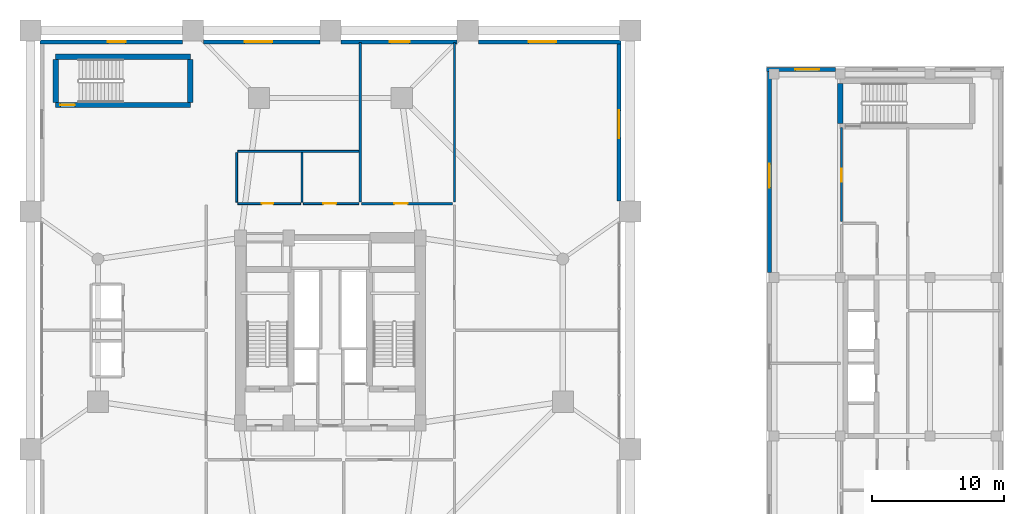
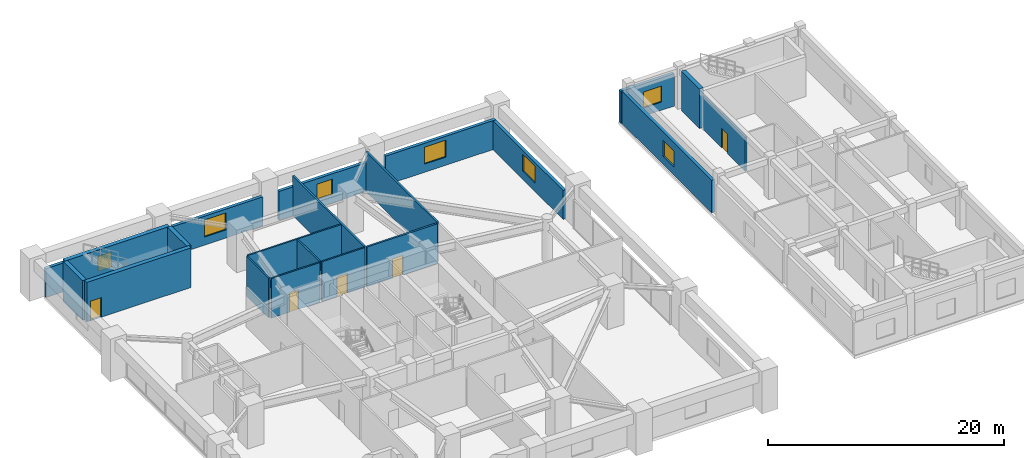
# One storey, part 16 of 22: 21 walls, 7 windows, 5 doors, 12 openings.
"""IFC4 building model written with IfcOpenShell, lengths in metres."""

import ifcopenshell
import ifcopenshell.guid

model = None  # the IFC model being written
_history = None  # IfcOwnerHistory: only IFC2X3 demands one
_inside = {}  # id of a spatial element -> (the spatial element, [elements in it])
_under = {}  # id of a project, library or spatial element -> (it, [spatial elements below it])
_declared = {}  # id of a project -> (the project, [libraries it declares])
_typed = {}  # id of a type object -> (the type object, [elements of that type])
_made_of = {}  # id of a material, layer set ... -> (it, [elements and type objects made of it])


def new_model(schema):
    """Start an empty IFC model of exactly this schema.

    Asked for "IFC4X3", IfcOpenShell would pick the latest addendum, in which some entities
    have other attributes; the version numbers below select the first issue.
    IFC2X3 requires an IfcOwnerHistory on every rooted entity: one is made here for all.
    """
    global model, _history
    if schema == "IFC4X3":
        model = ifcopenshell.file(schema_version=(4, 3, 0, 0))
    else:
        model = ifcopenshell.file(schema=schema)
    _inside.clear()
    _under.clear()
    _declared.clear()
    _typed.clear()
    _made_of.clear()
    _history = None
    if model.schema == "IFC2X3":
        org = make("IfcOrganization", Name="unknown")
        user = make(
            "IfcPersonAndOrganization",
            ThePerson=make("IfcPerson", FamilyName="unknown"),
            TheOrganization=org,
        )
        app = make(
            "IfcApplication",
            ApplicationDeveloper=org,
            Version="unknown",
            ApplicationFullName="unknown",
            ApplicationIdentifier="unknown",
        )
        _history = make(
            "IfcOwnerHistory",
            OwningUser=user,
            OwningApplication=app,
            ChangeAction="ADDED",
            CreationDate=0,
        )
    return model


def make(cls, **values):
    """One entity of the class cls with the attributes given. An attribute that is None is left unset."""
    return model.create_entity(
        cls, **{name: value for name, value in values.items() if value is not None}
    )


def rooted(cls, **values):
    """An entity with a GlobalId (a new one), such as an element, a storey or a relation."""
    return make(cls, GlobalId=ifcopenshell.guid.new(), OwnerHistory=_history, **values)


def si_unit(unit_type, name, prefix=None):
    """IfcSIUnit, for example si_unit("LENGTHUNIT", "METRE", prefix="MILLI")."""
    return make("IfcSIUnit", UnitType=unit_type, Prefix=prefix, Name=name)


def assignment(units):
    """IfcUnitAssignment: the units of a project."""
    return None if units is None else make("IfcUnitAssignment", Units=units)


def point(xyz):
    """IfcCartesianPoint."""
    return None if xyz is None else make("IfcCartesianPoint", Coordinates=xyz)


def direction(xyz):
    """IfcDirection."""
    return None if xyz is None else make("IfcDirection", DirectionRatios=xyz)


def frame(location, z_axis=None, x_axis=None):
    """IfcAxis2Placement3D, a coordinate frame: its origin and axes. An axis left out is left unset."""
    return make(
        "IfcAxis2Placement3D",
        Location=point(location),
        Axis=direction(z_axis),
        RefDirection=direction(x_axis),
    )


def frame_2d(location, x_axis=None):
    """IfcAxis2Placement2D, a coordinate frame in the plane: its origin and x axis."""
    return make(
        "IfcAxis2Placement2D", Location=point(location), RefDirection=direction(x_axis)
    )


def origin():
    """The frame at (0, 0, 0) with its axes left unset."""
    return frame((0.0, 0.0, 0.0))


def place(relative_to, where):
    """IfcLocalPlacement: puts the frame where relative to a parent placement (None: the world)."""
    return make(
        "IfcLocalPlacement", PlacementRelTo=relative_to, RelativePlacement=where
    )


def context(
    kind, dimensions, precision=None, world=None, true_north=None, identifier=None
):
    """IfcGeometricRepresentationContext, for example the 3D "Model" context."""
    return make(
        "IfcGeometricRepresentationContext",
        ContextIdentifier=identifier,
        ContextType=kind,
        CoordinateSpaceDimension=dimensions,
        Precision=precision,
        WorldCoordinateSystem=world,
        TrueNorth=true_north,
    )


def subcontext(parent, identifier, kind, view, scale=None):
    """IfcGeometricRepresentationSubContext, for example "Body" below "Model"."""
    return make(
        "IfcGeometricRepresentationSubContext",
        ContextIdentifier=identifier,
        ContextType=kind,
        ParentContext=parent,
        TargetScale=scale,
        TargetView=view,
    )


def project(units=None, contexts=None):
    """IfcProject with its units and contexts."""
    return rooted(
        "IfcProject",
        Name="project",
        RepresentationContexts=contexts,
        UnitsInContext=assignment(units),
    )


def spatial(cls, under=None, at=None, **own):
    """A site, building, storey or space (cls), placed at a placement, below another one or the project."""
    s = rooted(cls, ObjectPlacement=at, **own)
    if under is not None:
        _under.setdefault(under.id(), (under, []))[1].append(s)
    return s


def profile(cls, at=None, kind="AREA", **sizes):
    """A parametric profile (cls). Its sizes go by their IFC names, for example OverallWidth=200.0."""
    return make(cls, ProfileType=kind, Position=at, **sizes)


def rectangle(**sizes):
    """IfcRectangleProfileDef."""
    return profile("IfcRectangleProfileDef", **sizes)


def extrude(swept, where, along, depth):
    """IfcExtrudedAreaSolid: the profile swept, set in the frame where, extruded along a direction by depth."""
    return make(
        "IfcExtrudedAreaSolid",
        SweptArea=swept,
        Position=where,
        ExtrudedDirection=direction(along),
        Depth=depth,
    )


def shape(context_of_items, identifier, shape_type, items):
    """IfcShapeRepresentation: the items that make up one representation, for example the "Body"."""
    return make(
        "IfcShapeRepresentation",
        ContextOfItems=context_of_items,
        RepresentationIdentifier=identifier,
        RepresentationType=shape_type,
        Items=items,
    )


def source(mapping_origin, context_of_items, identifier, shape_type, items):
    """IfcRepresentationMap: a shape defined once, which mapped items show again and again."""
    return make(
        "IfcRepresentationMap",
        MappingOrigin=mapping_origin,
        MappedRepresentation=shape(context_of_items, identifier, shape_type, items),
    )


def transform(
    local_origin,
    x_axis=None,
    y_axis=None,
    z_axis=None,
    scale=None,
    scale2=None,
    scale3=None,
    uniform=True,
):
    """IfcCartesianTransformationOperator3D, or its non-uniform kind. x_axis, y_axis, z_axis: its Axis1, 2, 3."""
    if uniform:
        return make(
            "IfcCartesianTransformationOperator3D",
            Axis1=direction(x_axis),
            Axis2=direction(y_axis),
            LocalOrigin=point(local_origin),
            Scale=scale,
            Axis3=direction(z_axis),
        )
    return make(
        "IfcCartesianTransformationOperator3DnonUniform",
        Axis1=direction(x_axis),
        Axis2=direction(y_axis),
        LocalOrigin=point(local_origin),
        Scale=scale,
        Axis3=direction(z_axis),
        Scale2=scale2,
        Scale3=scale3,
    )


def mapped(mapping_source, mapping_target):
    """IfcMappedItem: shows the shape of a source again, moved by a transform."""
    return make(
        "IfcMappedItem", MappingSource=mapping_source, MappingTarget=mapping_target
    )


def material(Name=None, Category=None):
    """IfcMaterial."""
    return make("IfcMaterial", Name=Name, Category=Category)


def layer(
    of_material, thickness, ventilated=None, Name=None, Category=None, Priority=None
):
    """IfcMaterialLayer: one layer of a wall or slab, of a material (None: an air gap)."""
    return make(
        "IfcMaterialLayer",
        Material=of_material,
        LayerThickness=thickness,
        IsVentilated=ventilated,
        Name=Name,
        Category=Category,
        Priority=Priority,
    )


def layer_set(layers, Name=None):
    """IfcMaterialLayerSet."""
    return make("IfcMaterialLayerSet", MaterialLayers=layers, LayerSetName=Name)


def made_of(thing, what):
    """Note that an element or type object is made of a material, layer set ...; save() writes the relation."""
    if what is not None:
        _made_of.setdefault(what.id(), (what, []))[1].append(thing)
    return thing


def type_object(cls, material=None, **own):
    """A type object (cls), such as IfcWallType, which elements share."""
    return made_of(rooted(cls, **own), material)


def element(
    cls,
    number,
    at=None,
    inside=None,
    cuts=None,
    type_object=None,
    material=None,
    context=None,
    identifier="Body",
    shape_type=None,
    held_by="IfcProductDefinitionShape",
    body=None,
    shapes=None,
    **own,
):
    """One element of the class cls, such as IfcWall. Its Tag is "e" and its number.

    at: its placement. inside: the storey or other place that contains it. cuts: it is an
    opening in that element (IfcRelVoidsElement). A single representation is given by context,
    identifier, shape_type and body (its items); several are given by shapes. held_by: the class
    of the entity that holds the representations. save() writes the other relations.
    """
    e = rooted(cls, Tag="e%d" % number, ObjectPlacement=at, **own)
    if body is not None:
        shapes = [shape(context, identifier, shape_type, body)]
    if shapes is not None:
        e.Representation = make(held_by, Representations=shapes)
    if inside is not None:
        _inside.setdefault(inside.id(), (inside, []))[1].append(e)
    if cuts is not None:
        rooted(
            "IfcRelVoidsElement", RelatingBuildingElement=cuts, RelatedOpeningElement=e
        )
    if type_object is not None:
        _typed.setdefault(type_object.id(), (type_object, []))[1].append(e)
    return made_of(e, material)


def fill(opening, filler):
    """IfcRelFillsElement: the door or window that sits in an opening."""
    return rooted(
        "IfcRelFillsElement",
        RelatingOpeningElement=opening,
        RelatedBuildingElement=filler,
    )


def aggregate(whole, parts):
    """IfcRelAggregates: a whole, such as a stair, and the parts it consists of."""
    return rooted("IfcRelAggregates", RelatingObject=whole, RelatedObjects=parts)


def save(model, path):
    """Write the relations noted so far, then the file.

    IfcRelAggregates (storeys below a building ...), IfcRelContainedInSpatialStructure (elements
    in a storey), IfcRelDefinesByType, IfcRelAssociatesMaterial and IfcRelDeclares: one each for
    every whole, place, type object, material and project.
    """
    for whole, parts in _under.values():
        aggregate(whole, parts)
    for where, things in _inside.values():
        rooted(
            "IfcRelContainedInSpatialStructure",
            RelatedElements=things,
            RelatingStructure=where,
        )
    for kind, things in _typed.values():
        rooted("IfcRelDefinesByType", RelatedObjects=things, RelatingType=kind)
    for what, things in _made_of.values():
        rooted("IfcRelAssociatesMaterial", RelatedObjects=things, RelatingMaterial=what)
    for by, libraries in _declared.values():
        rooted("IfcRelDeclares", RelatingContext=by, RelatedDefinitions=libraries)
    model.write(path)


model = new_model("IFC4")

# Units and contexts
model_context = context("Model", 3, precision=1e-05, world=origin(), true_north=direction((0.0, 1.0)))
body_context = subcontext(model_context, "Body", "Model", "MODEL_VIEW")
ifc_project = project(units=[si_unit("LENGTHUNIT", "METRE"), si_unit("AREAUNIT", "SQUARE_METRE"), si_unit("VOLUMEUNIT", "CUBIC_METRE"), si_unit("PLANEANGLEUNIT", "RADIAN"), si_unit("MASSUNIT", "GRAM", prefix="KILO")], contexts=[model_context])

# Site, building, storey
site_placement = place(None, origin())
site = spatial("IfcSite", under=ifc_project, at=site_placement, CompositionType="ELEMENT")
building_placement = place(site_placement, origin())
building = spatial("IfcBuilding", under=site, at=building_placement, Name="Veraguas Prism Commons", CompositionType="ELEMENT")
storey_placement = place(building_placement, frame((0.0, 0.0, 5.199951171875)))
storey = spatial("IfcBuildingStorey", under=building, at=storey_placement, Name="L01", CompositionType="ELEMENT", Elevation=5.199951171875)

# Wall, opening, door
ifc_material_1 = material(Name="Concrete C50/60", Category="concrete")
ifc_layer_1 = layer(ifc_material_1, 0.39990234375, Name="Clinic and Mid Core Shear Wall RC 400", Category="concrete")
ifc_layer_set_1 = layer_set([ifc_layer_1], Name="Concrete C50/60")
wall_type_1 = type_object("IfcWallType", Name="Clinic and Mid Core Shear Wall RC 400", PredefinedType="SHEAR", material=ifc_layer_set_1)
wall_1_placement = place(storey_placement, frame((3.199951171875, 41.06005859375, 0.0), z_axis=(0.0, 0.0, 1.0), x_axis=(1.0, 0.0, 0.0)))
wall_1 = element("IfcWall", 1, at=wall_1_placement, inside=storey, type_object=wall_type_1, Name="ST-M2 South Shear Wall L01", PredefinedType="SHEAR", context=body_context, shape_type="SweptSolid", body=[
    extrude(rectangle(XDim=10.199951171875, YDim=0.39990234375, at=frame_2d((5.10009765625, 0.0))), origin(), (0.0, 0.0, 1.0), 4.10009765625),
])
opening_1_placement = place(wall_1_placement, frame((0.35009765625, 0.0, 0.0)))
opening_1 = element("IfcOpeningElement", 2, at=opening_1_placement, cuts=wall_1, Name="Opening DR-05", PredefinedType="OPENING", context=body_context, shape_type="SweptSolid", body=[
    extrude(rectangle(XDim=1.10009765625, YDim=2.030029296875, at=frame_2d((0.550048828125, 1.01513671875))), frame((0.0, 0.2099609375, 0.0), z_axis=(0.0, -1.0, 0.0), x_axis=(1.0, 0.0, 0.0)), (0.0, 0.0, 1.0), 0.419921875),
])
ifc_material_2 = material(Name="Steel fire-rated door assembly", Category="steel")
door_type_1 = type_object("IfcDoorType", Name="Protected Stair and Refuge Fire Door 1100x2030", OperationType="NOTDEFINED", PredefinedType="DOOR", material=ifc_material_2)
shared_shape_1 = source(origin(), body_context, "Body", "SweptSolid", [
    extrude(rectangle(XDim=1.10009765625, YDim=2.030029296875, at=frame_2d((0.550048828125, 1.01513671875))), frame((0.0, 0.02490234375, 0.0), z_axis=(0.0, -1.0, 0.0), x_axis=(1.0, 0.0, 0.0)), (0.0, 0.0, 1.0), 0.050048828125),
])
door_1_placement = place(opening_1_placement, origin())
door_1 = element("IfcDoor", 3, at=door_1_placement, inside=storey, type_object=door_type_1, Name="Metro Stair ST-M2 Door L01", OperationType="SINGLE_SWING_RIGHT", OverallHeight=2.030029296875, OverallWidth=1.10009765625, PredefinedType="DOOR", context=body_context, shape_type="MappedRepresentation", body=[
    mapped(shared_shape_1, transform((0.0, 0.0, 0.0), scale=1.0)),
])
fill(opening_1, door_1)

# Walls
wall_2_placement = place(storey_placement, frame((3.199951171875, 44.7099609375, 0.0), z_axis=(0.0, 0.0, 1.0), x_axis=(1.0, 0.0, 0.0)))
element("IfcWall", 4, at=wall_2_placement, inside=storey, type_object=wall_type_1, Name="ST-M2 North Shear Wall L01", PredefinedType="SHEAR", context=body_context, shape_type="SweptSolid", body=[
    extrude(rectangle(XDim=10.199951171875, YDim=0.39990234375, at=frame_2d((5.10009765625, 0.0))), origin(), (0.0, 0.0, 1.0), 4.10009765625),
])
for number, where, z_axis, x_axis, name in (
    (5, (3.199951171875, 41.260009765625, 0.0), (0.0, 0.0, 1.0), (0.0, 1.0, 0.0), "ST-M2 West Shear Wall L01"),
    (6, (13.39990234375, 41.260009765625, 0.0), (0.0, 0.0, 1.0), (0.0, 1.0, 0.0), "ST-M2 East Shear Wall L01"),
):
    element("IfcWall", number, at=place(storey_placement, frame(where, z_axis=z_axis, x_axis=x_axis)), inside=storey, type_object=wall_type_1, Name=name, PredefinedType="SHEAR", context=body_context, shape_type="SweptSolid", body=[
        extrude(rectangle(XDim=3.25, YDim=0.39990234375, at=frame_2d((1.625, 0.0))), origin(), (0.0, 0.0, 1.0), 4.10009765625),
    ])
wall_3_placement = place(storey_placement, frame((62.60009765625, 39.659912109375, 0.0), z_axis=(0.0, 0.0, 1.0), x_axis=(0.0, 1.0, 0.0)))
element("IfcWall", 7, at=wall_3_placement, inside=storey, type_object=wall_type_1, Name="ST-H2 West Shear Wall L01", PredefinedType="SHEAR", context=body_context, shape_type="SweptSolid", body=[
    extrude(rectangle(XDim=3.050048828125, YDim=0.39990234375, at=frame_2d((1.52490234375, 0.0))), origin(), (0.0, 0.0, 1.0), 4.10009765625),
])

# Wall, opening, door
ifc_material_3 = material(Name="Autoclaved aerated masonry block 10 MPa", Category="masonry")
ifc_layer_2 = layer(ifc_material_3, 0.179931640625, Name="Corridor and Inter-Tenancy Partition 180", Category="masonry")
ifc_layer_set_2 = layer_set([ifc_layer_2], Name="Autoclaved aerated masonry block 10 MPa")
wall_type_2 = type_object("IfcWallType", Name="Corridor and Inter-Tenancy Partition 180", PredefinedType="PARTITIONING", material=ifc_layer_set_2)
wall_4_placement = place(storey_placement, frame((26.35009765625, 33.60009765625, 0.0), z_axis=(0.0, 0.0, 1.0), x_axis=(1.0, 0.0, 0.0)))
wall_4 = element("IfcWall", 8, at=wall_4_placement, inside=storey, type_object=wall_type_2, Name="WL-L01-PDPT12", PredefinedType="PARTITIONING", context=body_context, shape_type="SweptSolid", body=[
    extrude(rectangle(XDim=6.89990234375, YDim=0.179931640625, at=frame_2d((3.449951171875, 0.0))), origin(), (0.0, 0.0, 1.0), 4.10009765625),
])
opening_2_placement = place(wall_4_placement, frame((2.5, 0.0, 0.0)))
opening_2 = element("IfcOpeningElement", 9, at=opening_2_placement, cuts=wall_4, Name="Opening DR-13", PredefinedType="OPENING", context=body_context, shape_type="SweptSolid", body=[
    extrude(rectangle(XDim=1.0, YDim=2.010009765625, at=frame_2d((0.5, 1.0048828125))), frame((0.0, 0.099853515625, 0.0), z_axis=(0.0, -1.0, 0.0), x_axis=(1.0, 0.0, 0.0)), (0.0, 0.0, 1.0), 0.199951171875),
])
door_type_2 = type_object("IfcDoorType", Name="Core Accessible WC and Clinic Fire Door 1000x2010", OperationType="NOTDEFINED", PredefinedType="DOOR", material=ifc_material_2)
shared_shape_2 = source(origin(), body_context, "Body", "SweptSolid", [
    extrude(rectangle(XDim=1.0, YDim=2.010009765625, at=frame_2d((0.5, 1.0048828125))), frame((0.0, 0.02490234375, 0.0), z_axis=(0.0, -1.0, 0.0), x_axis=(1.0, 0.0, 0.0)), (0.0, 0.0, 1.0), 0.050048828125),
])
door_2_placement = place(opening_2_placement, origin())
door_2 = element("IfcDoor", 10, at=door_2_placement, inside=storey, type_object=door_type_2, Name="Seminar Room Door L01", OperationType="SINGLE_SWING_LEFT", OverallHeight=2.010009765625, OverallWidth=1.0, PredefinedType="DOOR", context=body_context, shape_type="MappedRepresentation", body=[
    mapped(shared_shape_2, transform((0.0, 0.0, 0.0), scale=1.0)),
])
fill(opening_2, door_2)

# Walls
for number, where, z_axis, x_axis, name in (
    (11, (26.25, 33.719970703125, 0.0), (0.0, 0.0, 1.0), (0.0, 1.0, 0.0), "WL-L01-PDPT14"),
    (12, (33.39990234375, 33.719970703125, 0.0), (0.0, 0.0, 1.0), (0.0, 1.0, 0.0), "WL-L01-PDPT14E"),
):
    element("IfcWall", number, at=place(storey_placement, frame(where, z_axis=z_axis, x_axis=x_axis)), inside=storey, type_object=wall_type_2, Name=name, PredefinedType="PARTITIONING", context=body_context, shape_type="SweptSolid", body=[
        extrude(rectangle(XDim=12.06005859375, YDim=0.179931640625, at=frame_2d((6.030029296875, 0.0))), origin(), (0.0, 0.0, 1.0), 4.10009765625),
    ])

# Wall, opening, door
wall_5_placement = place(storey_placement, frame((62.699951171875, 32.25, 0.0), z_axis=(0.0, 0.0, 1.0), x_axis=(0.0, 1.0, 0.0)))
wall_5 = element("IfcWall", 13, at=wall_5_placement, inside=storey, type_object=wall_type_2, Name="WL-L01-HCPT06", PredefinedType="PARTITIONING", context=body_context, shape_type="SweptSolid", body=[
    extrude(rectangle(XDim=7.10009765625, YDim=0.179931640625, at=frame_2d((3.550048828125, 0.0))), origin(), (0.0, 0.0, 1.0), 3.5),
])
opening_3_placement = place(wall_5_placement, frame((3.0, 0.0, 0.0)))
opening_3 = element("IfcOpeningElement", 14, at=opening_3_placement, cuts=wall_5, Name="Opening DR-13", PredefinedType="OPENING", context=body_context, shape_type="SweptSolid", body=[
    extrude(rectangle(XDim=1.0, YDim=2.010009765625, at=frame_2d((0.5, 1.0048828125))), frame((0.0, 0.099853515625, 0.0), z_axis=(0.0, -1.0, 0.0), x_axis=(1.0, 0.0, 0.0)), (0.0, 0.0, 1.0), 0.199951171875),
])
door_3_placement = place(opening_3_placement, origin())
door_3 = element("IfcDoor", 15, at=door_3_placement, inside=storey, type_object=door_type_2, Name="Maternal and Paediatric Consulting Room Door", OperationType="SINGLE_SWING_LEFT", OverallHeight=2.010009765625, OverallWidth=1.0, PredefinedType="DOOR", context=body_context, shape_type="MappedRepresentation", body=[
    mapped(shared_shape_2, transform((0.0, 0.0, 0.0), scale=1.0)),
])
fill(opening_3, door_3)

# Wall, opening, window
ifc_material_4 = material(Name="Precast concrete C40/50", Category="concrete")
ifc_layer_3 = layer(ifc_material_4, 0.300048828125, Name="External Precast Facade Wall 300", Category="concrete")
ifc_layer_set_3 = layer_set([ifc_layer_3], Name="Precast concrete C40/50")
wall_type_3 = type_object("IfcWallType", Name="External Precast Facade Wall 300", PredefinedType="SOLIDWALL", material=ifc_layer_set_3)
wall_6_placement = place(storey_placement, frame((45.85009765625, 33.800048828125, 0.0), z_axis=(0.0, 0.0, 1.0), x_axis=(0.0, 1.0, 0.0)))
wall_6 = element("IfcWall", 16, at=wall_6_placement, inside=storey, type_object=wall_type_3, Name="Podium East Plaza Wall L01-03", PredefinedType="SOLIDWALL", context=body_context, shape_type="SweptSolid", body=[
    extrude(rectangle(XDim=11.89990234375, YDim=0.300048828125, at=frame_2d((5.949951171875, 0.0))), origin(), (0.0, 0.0, 1.0), 3.0),
])
opening_4_placement = place(wall_6_placement, frame((4.75, 0.0, 0.85009765625)))
opening_4 = element("IfcOpeningElement", 17, at=opening_4_placement, cuts=wall_6, Name="Opening WN-07", PredefinedType="OPENING", context=body_context, shape_type="SweptSolid", body=[
    extrude(rectangle(XDim=2.10009765625, YDim=1.75, at=frame_2d((1.050048828125, 0.875))), frame((0.0, 0.159912109375, 0.0), z_axis=(0.0, -1.0, 0.0), x_axis=(1.0, 0.0, 0.0)), (0.0, 0.0, 1.0), 0.320068359375),
])
ifc_material_5 = material(Name="Laminated low-e glass", Category="glass")
window_type_1 = type_object("IfcWindowType", Name="Podium Community Window 2100x1750", PartitioningType="DOUBLE_PANEL_VERTICAL", PredefinedType="WINDOW", material=ifc_material_5)
shared_shape_3 = source(origin(), body_context, "Body", "SweptSolid", [
    extrude(rectangle(XDim=2.10009765625, YDim=1.75, at=frame_2d((1.050048828125, 0.875))), frame((0.0, 0.030029296875, 0.0), z_axis=(0.0, -1.0, 0.0), x_axis=(1.0, 0.0, 0.0)), (0.0, 0.0, 1.0), 0.06005859375),
])
window_1_placement = place(opening_4_placement, origin())
window_1 = element("IfcWindow", 18, at=window_1_placement, inside=storey, type_object=window_type_1, Name="Podium East Window L01-03", OverallHeight=1.75, OverallWidth=2.10009765625, PartitioningType="DOUBLE_PANEL_VERTICAL", PredefinedType="WINDOW", context=body_context, shape_type="MappedRepresentation", body=[
    mapped(shared_shape_3, transform((0.0, 0.0, 0.0), scale=1.0)),
])
fill(opening_4, window_1)

wall_7_placement = place(storey_placement, frame((46.0, 45.85009765625, 0.0), z_axis=(0.0, 0.0, 1.0), x_axis=(-1.0, 0.0, 0.0)))
wall_7 = element("IfcWall", 19, at=wall_7_placement, inside=storey, type_object=wall_type_3, Name="Podium North Facade Wall L01-01", PredefinedType="SOLIDWALL", context=body_context, shape_type="SweptSolid", body=[
    extrude(rectangle(XDim=10.800048828125, YDim=0.300048828125, at=frame_2d((5.39990234375, 0.0))), origin(), (0.0, 0.0, 1.0), 3.0),
])
opening_5_placement = place(wall_7_placement, frame((4.89990234375, 0.0, 0.85009765625)))
opening_5 = element("IfcOpeningElement", 20, at=opening_5_placement, cuts=wall_7, Name="Opening WN-07", PredefinedType="OPENING", context=body_context, shape_type="SweptSolid", body=[
    extrude(rectangle(XDim=2.10009765625, YDim=1.75, at=frame_2d((1.050048828125, 0.875))), frame((0.0, 0.159912109375, 0.0), z_axis=(0.0, -1.0, 0.0), x_axis=(1.0, 0.0, 0.0)), (0.0, 0.0, 1.0), 0.320068359375),
])
window_2_placement = place(opening_5_placement, origin())
window_2 = element("IfcWindow", 21, at=window_2_placement, inside=storey, type_object=window_type_1, Name="Podium North Window L01-01", OverallHeight=1.75, OverallWidth=2.10009765625, PartitioningType="DOUBLE_PANEL_VERTICAL", PredefinedType="WINDOW", context=body_context, shape_type="MappedRepresentation", body=[
    mapped(shared_shape_3, transform((0.0, 0.0, 0.0), scale=1.0)),
])
fill(opening_5, window_2)

wall_8_placement = place(storey_placement, frame((33.60009765625, 45.85009765625, 0.0), z_axis=(0.0, 0.0, 1.0), x_axis=(-1.0, 0.0, 0.0)))
wall_8 = element("IfcWall", 22, at=wall_8_placement, inside=storey, type_object=wall_type_3, Name="Podium North Facade Wall L01-02", PredefinedType="SOLIDWALL", context=body_context, shape_type="SweptSolid", body=[
    extrude(rectangle(XDim=8.800048828125, YDim=0.300048828125, at=frame_2d((4.39990234375, 0.0))), origin(), (0.0, 0.0, 1.0), 3.0),
])
opening_6_placement = place(wall_8_placement, frame((3.60009765625, 0.0, 0.85009765625)))
opening_6 = element("IfcOpeningElement", 23, at=opening_6_placement, cuts=wall_8, Name="Opening WN-05", PredefinedType="OPENING", context=body_context, shape_type="SweptSolid", body=[
    extrude(rectangle(XDim=1.5, YDim=1.60009765625, at=frame_2d((0.75, 0.800048828125))), frame((0.0, 0.159912109375, 0.0), z_axis=(0.0, -1.0, 0.0), x_axis=(1.0, 0.0, 0.0)), (0.0, 0.0, 1.0), 0.320068359375),
])
window_type_2 = type_object("IfcWindowType", Name="Loggia Living Side Window 1500x1600", PartitioningType="DOUBLE_PANEL_VERTICAL", PredefinedType="WINDOW", material=ifc_material_5)
shared_shape_4 = source(origin(), body_context, "Body", "SweptSolid", [
    extrude(rectangle(XDim=1.5, YDim=1.60009765625, at=frame_2d((0.75, 0.800048828125))), frame((0.0, 0.030029296875, 0.0), z_axis=(0.0, -1.0, 0.0), x_axis=(1.0, 0.0, 0.0)), (0.0, 0.0, 1.0), 0.06005859375),
])
window_3_placement = place(opening_6_placement, origin())
window_3 = element("IfcWindow", 24, at=window_3_placement, inside=storey, type_object=window_type_2, Name="Podium North Window L01-02", OverallHeight=1.60009765625, OverallWidth=1.5, PartitioningType="DOUBLE_PANEL_VERTICAL", PredefinedType="WINDOW", context=body_context, shape_type="MappedRepresentation", body=[
    mapped(shared_shape_4, transform((0.0, 0.0, 0.0), scale=1.0)),
])
fill(opening_6, window_3)

wall_9_placement = place(storey_placement, frame((23.199951171875, 45.85009765625, 0.0), z_axis=(0.0, 0.0, 1.0), x_axis=(-1.0, 0.0, 0.0)))
wall_9 = element("IfcWall", 25, at=wall_9_placement, inside=storey, type_object=wall_type_3, Name="Podium North Facade Wall L01-03", PredefinedType="SOLIDWALL", context=body_context, shape_type="SweptSolid", body=[
    extrude(rectangle(XDim=8.800048828125, YDim=0.300048828125, at=frame_2d((4.39990234375, 0.0))), origin(), (0.0, 0.0, 1.0), 3.0),
])
opening_7_placement = place(wall_9_placement, frame((3.60009765625, 0.0, 0.85009765625)))
opening_7 = element("IfcOpeningElement", 26, at=opening_7_placement, cuts=wall_9, Name="Opening WN-07", PredefinedType="OPENING", context=body_context, shape_type="SweptSolid", body=[
    extrude(rectangle(XDim=2.10009765625, YDim=1.75, at=frame_2d((1.050048828125, 0.875))), frame((0.0, 0.159912109375, 0.0), z_axis=(0.0, -1.0, 0.0), x_axis=(1.0, 0.0, 0.0)), (0.0, 0.0, 1.0), 0.320068359375),
])
window_4_placement = place(opening_7_placement, origin())
window_4 = element("IfcWindow", 27, at=window_4_placement, inside=storey, type_object=window_type_1, Name="Podium North Window L01-03", OverallHeight=1.75, OverallWidth=2.10009765625, PartitioningType="DOUBLE_PANEL_VERTICAL", PredefinedType="WINDOW", context=body_context, shape_type="MappedRepresentation", body=[
    mapped(shared_shape_3, transform((0.0, 0.0, 0.0), scale=1.0)),
])
fill(opening_7, window_4)

wall_10_placement = place(storey_placement, frame((12.800048828125, 45.85009765625, 0.0), z_axis=(0.0, 0.0, 1.0), x_axis=(-1.0, 0.0, 0.0)))
wall_10 = element("IfcWall", 28, at=wall_10_placement, inside=storey, type_object=wall_type_3, Name="Podium North Facade Wall L01-04", PredefinedType="SOLIDWALL", context=body_context, shape_type="SweptSolid", body=[
    extrude(rectangle(XDim=10.800048828125, YDim=0.300048828125, at=frame_2d((5.39990234375, 0.0))), origin(), (0.0, 0.0, 1.0), 3.0),
])
opening_8_placement = place(wall_10_placement, frame((4.300048828125, 0.0, 0.85009765625)))
opening_8 = element("IfcOpeningElement", 29, at=opening_8_placement, cuts=wall_10, Name="Opening WN-06", PredefinedType="OPENING", context=body_context, shape_type="SweptSolid", body=[
    extrude(rectangle(XDim=1.35009765625, YDim=1.550048828125, at=frame_2d((0.675048828125, 0.77490234375))), frame((0.0, 0.159912109375, 0.0), z_axis=(0.0, -1.0, 0.0), x_axis=(1.0, 0.0, 0.0)), (0.0, 0.0, 1.0), 0.320068359375),
])
window_type_3 = type_object("IfcWindowType", Name="Loggia Bedroom Side Window 1350x1550", PartitioningType="SINGLE_PANEL", PredefinedType="WINDOW", material=ifc_material_5)
shared_shape_5 = source(origin(), body_context, "Body", "SweptSolid", [
    extrude(rectangle(XDim=1.35009765625, YDim=1.550048828125, at=frame_2d((0.675048828125, 0.77490234375))), frame((0.0, 0.030029296875, 0.0), z_axis=(0.0, -1.0, 0.0), x_axis=(1.0, 0.0, 0.0)), (0.0, 0.0, 1.0), 0.06005859375),
])
window_5_placement = place(opening_8_placement, origin())
window_5 = element("IfcWindow", 30, at=window_5_placement, inside=storey, type_object=window_type_3, Name="Podium North Window L01-04", OverallHeight=1.550048828125, OverallWidth=1.35009765625, PartitioningType="SINGLE_PANEL", PredefinedType="WINDOW", context=body_context, shape_type="MappedRepresentation", body=[
    mapped(shared_shape_5, transform((0.0, 0.0, 0.0), scale=1.0)),
])
fill(opening_8, window_5)

wall_11_placement = place(storey_placement, frame((62.22509765625, 43.75, 0.0), z_axis=(0.0, 0.0, 1.0), x_axis=(-1.0, 0.0, 0.0)))
wall_11 = element("IfcWall", 31, at=wall_11_placement, inside=storey, type_object=wall_type_3, Name="Health Centre North Wall L01-03", PredefinedType="SOLIDWALL", context=body_context, shape_type="SweptSolid", body=[
    extrude(rectangle(XDim=5.22509765625, YDim=0.300048828125, at=frame_2d((2.612548828125, 0.0))), origin(), (0.0, 0.0, 1.0), 3.35009765625),
])
opening_9_placement = place(wall_11_placement, frame((1.22509765625, 0.0, 0.85009765625)))
opening_9 = element("IfcOpeningElement", 32, at=opening_9_placement, cuts=wall_11, Name="Opening WN-01", PredefinedType="OPENING", context=body_context, shape_type="SweptSolid", body=[
    extrude(rectangle(XDim=1.800048828125, YDim=1.64990234375, at=frame_2d((0.89990234375, 0.824951171875))), frame((0.0, 0.159912109375, 0.0), z_axis=(0.0, -1.0, 0.0), x_axis=(1.0, 0.0, 0.0)), (0.0, 0.0, 1.0), 0.320068359375),
])
window_type_4 = type_object("IfcWindowType", Name="Clinic Consulting Double Window 1800x1650", PartitioningType="DOUBLE_PANEL_VERTICAL", PredefinedType="WINDOW", material=ifc_material_5)
shared_shape_6 = source(origin(), body_context, "Body", "SweptSolid", [
    extrude(rectangle(XDim=1.800048828125, YDim=1.64990234375, at=frame_2d((0.89990234375, 0.824951171875))), frame((0.0, 0.030029296875, 0.0), z_axis=(0.0, -1.0, 0.0), x_axis=(1.0, 0.0, 0.0)), (0.0, 0.0, 1.0), 0.06005859375),
])
window_6_placement = place(opening_9_placement, origin())
window_6 = element("IfcWindow", 33, at=window_6_placement, inside=storey, type_object=window_type_4, Name="Health Centre North Window L01-03", OverallHeight=1.64990234375, OverallWidth=1.800048828125, PartitioningType="DOUBLE_PANEL_VERTICAL", PredefinedType="WINDOW", context=body_context, shape_type="MappedRepresentation", body=[
    mapped(shared_shape_6, transform((0.0, 0.0, 0.0), scale=1.0)),
])
fill(opening_9, window_6)

wall_12_placement = place(storey_placement, frame((57.25, 43.60009765625, 0.0), z_axis=(0.0, 0.0, 1.0), x_axis=(0.0, -1.0, 0.0)))
wall_12 = element("IfcWall", 34, at=wall_12_placement, inside=storey, type_object=wall_type_3, Name="Health Centre West Plaza Wall L01-01", PredefinedType="SOLIDWALL", context=body_context, shape_type="SweptSolid", body=[
    extrude(rectangle(XDim=15.22509765625, YDim=0.300048828125, at=frame_2d((7.612548828125, 0.0))), origin(), (0.0, 0.0, 1.0), 3.35009765625),
])
opening_10_placement = place(wall_12_placement, frame((7.0, 0.0, 0.85009765625)))
opening_10 = element("IfcOpeningElement", 35, at=opening_10_placement, cuts=wall_12, Name="Opening WN-01", PredefinedType="OPENING", context=body_context, shape_type="SweptSolid", body=[
    extrude(rectangle(XDim=1.800048828125, YDim=1.64990234375, at=frame_2d((0.89990234375, 0.824951171875))), frame((0.0, 0.159912109375, 0.0), z_axis=(0.0, -1.0, 0.0), x_axis=(1.0, 0.0, 0.0)), (0.0, 0.0, 1.0), 0.320068359375),
])
window_7_placement = place(opening_10_placement, origin())
window_7 = element("IfcWindow", 36, at=window_7_placement, inside=storey, type_object=window_type_4, Name="Health Centre West Window L01-01", OverallHeight=1.64990234375, OverallWidth=1.800048828125, PartitioningType="DOUBLE_PANEL_VERTICAL", PredefinedType="WINDOW", context=body_context, shape_type="MappedRepresentation", body=[
    mapped(shared_shape_6, transform((0.0, 0.0, 0.0), scale=1.0)),
])
fill(opening_10, window_7)

# Wall, opening, door
ifc_material_6 = material(Name="Lightweight acoustic gypsum board")
ifc_layer_4 = layer(ifc_material_6, 0.14990234375, Name="Wet Room and Clinic Acoustic Partition 150")
ifc_layer_set_4 = layer_set([ifc_layer_4], Name="Lightweight acoustic gypsum board")
wall_type_4 = type_object("IfcWallType", Name="Wet Room and Clinic Acoustic Partition 150", PredefinedType="PARTITIONING", material=ifc_layer_set_4)
wall_13_placement = place(storey_placement, frame((17.0, 33.60009765625, 0.0), z_axis=(0.0, 0.0, 1.0), x_axis=(1.0, 0.0, 0.0)))
wall_13 = element("IfcWall", 37, at=wall_13_placement, inside=storey, type_object=wall_type_4, Name="WL-L01-PDPT10", PredefinedType="PARTITIONING", context=body_context, shape_type="SweptSolid", body=[
    extrude(rectangle(XDim=4.75, YDim=0.14990234375, at=frame_2d((2.375, 0.0))), origin(), (0.0, 0.0, 1.0), 4.10009765625),
])
opening_11_placement = place(wall_13_placement, frame((1.800048828125, 0.0, 0.0)))
opening_11 = element("IfcOpeningElement", 38, at=opening_11_placement, cuts=wall_13, Name="Opening DR-12", PredefinedType="OPENING", context=body_context, shape_type="SweptSolid", body=[
    extrude(rectangle(XDim=0.860107421875, YDim=2.010009765625, at=frame_2d((0.43017578125, 1.0048828125))), frame((0.0, 0.0849609375, 0.0), z_axis=(0.0, -1.0, 0.0), x_axis=(1.0, 0.0, 0.0)), (0.0, 0.0, 1.0), 0.169921875),
])
door_type_3 = type_object("IfcDoorType", Name="Core WC Fire Door 860x2010", OperationType="NOTDEFINED", PredefinedType="DOOR", material=ifc_material_2)
shared_shape_7 = source(origin(), body_context, "Body", "SweptSolid", [
    extrude(rectangle(XDim=0.860107421875, YDim=2.010009765625, at=frame_2d((0.43017578125, 1.0048828125))), frame((0.0, 0.02490234375, 0.0), z_axis=(0.0, -1.0, 0.0), x_axis=(1.0, 0.0, 0.0)), (0.0, 0.0, 1.0), 0.050048828125),
])
door_4_placement = place(opening_11_placement, origin())
door_4 = element("IfcDoor", 39, at=door_4_placement, inside=storey, type_object=door_type_3, Name="Podium WC Door L01", OperationType="SINGLE_SWING_LEFT", OverallHeight=2.010009765625, OverallWidth=0.860107421875, PredefinedType="DOOR", context=body_context, shape_type="MappedRepresentation", body=[
    mapped(shared_shape_7, transform((0.0, 0.0, 0.0), scale=1.0)),
])
fill(opening_11, door_4)

wall_14_placement = place(storey_placement, frame((21.949951171875, 33.60009765625, 0.0), z_axis=(0.0, 0.0, 1.0), x_axis=(1.0, 0.0, 0.0)))
wall_14 = element("IfcWall", 40, at=wall_14_placement, inside=storey, type_object=wall_type_4, Name="WL-L01-PDPT11", PredefinedType="PARTITIONING", context=body_context, shape_type="SweptSolid", body=[
    extrude(rectangle(XDim=4.199951171875, YDim=0.14990234375, at=frame_2d((2.10009765625, 0.0))), origin(), (0.0, 0.0, 1.0), 4.10009765625),
])
opening_12_placement = place(wall_14_placement, frame((1.5, 0.0, 0.0)))
opening_12 = element("IfcOpeningElement", 41, at=opening_12_placement, cuts=wall_14, Name="Opening DR-13", PredefinedType="OPENING", context=body_context, shape_type="SweptSolid", body=[
    extrude(rectangle(XDim=1.0, YDim=2.010009765625, at=frame_2d((0.5, 1.0048828125))), frame((0.0, 0.0849609375, 0.0), z_axis=(0.0, -1.0, 0.0), x_axis=(1.0, 0.0, 0.0)), (0.0, 0.0, 1.0), 0.169921875),
])
door_5_placement = place(opening_12_placement, origin())
door_5 = element("IfcDoor", 42, at=door_5_placement, inside=storey, type_object=door_type_2, Name="Podium Accessible WC Door L01", OperationType="SINGLE_SWING_RIGHT", OverallHeight=2.010009765625, OverallWidth=1.0, PredefinedType="DOOR", context=body_context, shape_type="MappedRepresentation", body=[
    mapped(shared_shape_2, transform((0.0, 0.0, 0.0), scale=1.0)),
])
fill(opening_12, door_5)

# Walls
for number, where, z_axis, x_axis, name in (
    (43, (16.89990234375, 33.719970703125, 0.0), (0.0, 0.0, 1.0), (0.0, 1.0, 0.0), "WL-L01-PDPT13W"),
    (44, (21.85009765625, 33.719970703125, 0.0), (0.0, 0.0, 1.0), (0.0, 1.0, 0.0), "WL-L01-PDPT13"),
):
    element("IfcWall", number, at=place(storey_placement, frame(where, z_axis=z_axis, x_axis=x_axis)), inside=storey, type_object=wall_type_4, Name=name, PredefinedType="PARTITIONING", context=body_context, shape_type="SweptSolid", body=[
        extrude(rectangle(XDim=3.72998046875, YDim=0.14990234375, at=frame_2d((1.864990234375, 0.0))), origin(), (0.0, 0.0, 1.0), 4.10009765625),
    ])
wall_15_placement = place(storey_placement, frame((17.0, 37.550048828125, 0.0), z_axis=(0.0, 0.0, 1.0), x_axis=(1.0, 0.0, 0.0)))
element("IfcWall", 45, at=wall_15_placement, inside=storey, type_object=wall_type_4, Name="WL-L01-PDPT15", PredefinedType="PARTITIONING", context=body_context, shape_type="SweptSolid", body=[
    extrude(rectangle(XDim=9.14990234375, YDim=0.14990234375, at=frame_2d((4.574951171875, 0.0))), origin(), (0.0, 0.0, 1.0), 4.10009765625),
])

save(model, "model.ifc")
